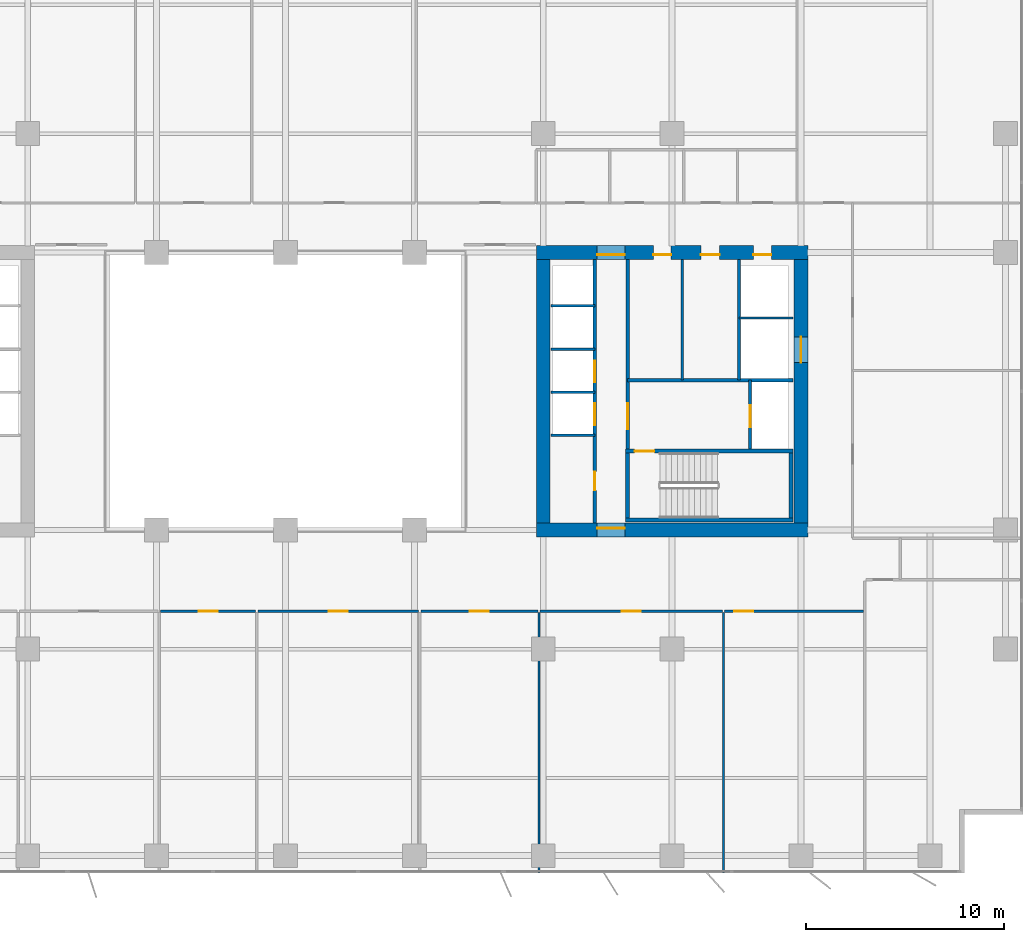
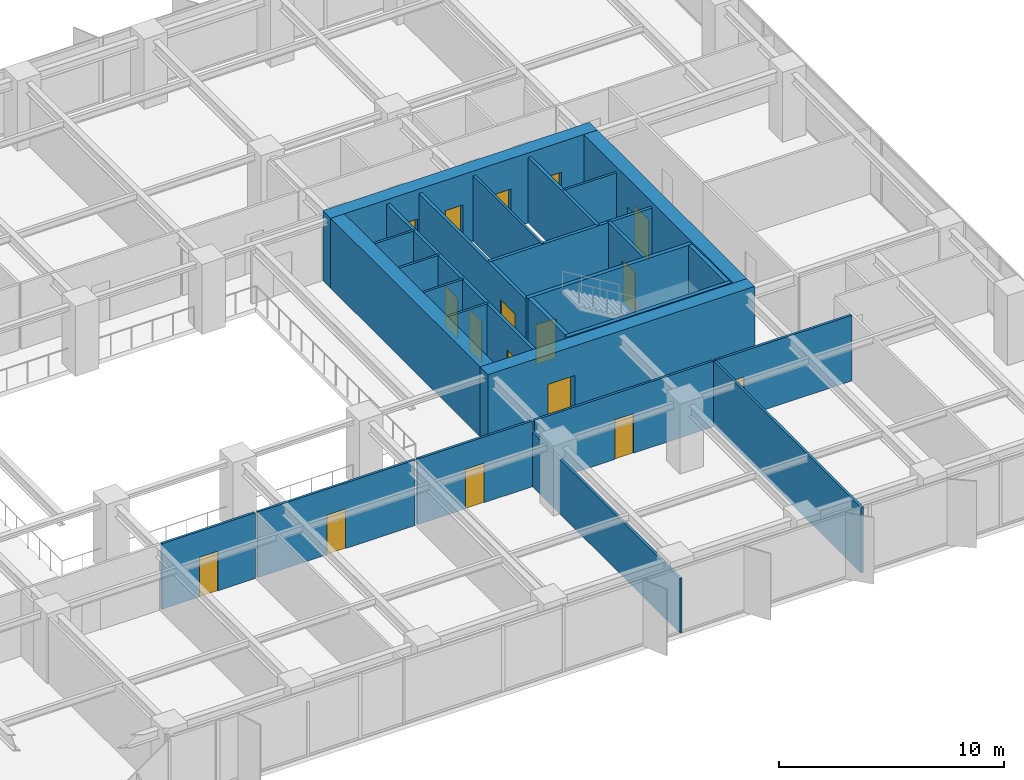
# One storey, part 14 of 20: 26 walls, 17 doors, 17 openings.
"""IFC4 building model written with IfcOpenShell, lengths in metres."""

from ifc_helpers import new_model, si_unit, direction, frame, frame_2d, origin, place, context, subcontext, project, spatial, rectangle, extrude, material, layer, layer_set, type_object, element, fill, save


model = new_model("IFC4")

# Units and contexts
model_context = context("Model", 3, precision=1e-05, world=origin(), true_north=direction((0.0, 1.0)))
body_context = subcontext(model_context, "Body", "Model", "MODEL_VIEW")
ifc_project = project(units=[si_unit("LENGTHUNIT", "METRE"), si_unit("AREAUNIT", "SQUARE_METRE"), si_unit("VOLUMEUNIT", "CUBIC_METRE"), si_unit("PLANEANGLEUNIT", "RADIAN"), si_unit("MASSUNIT", "GRAM", prefix="KILO")], contexts=[model_context])

# Site, building, storey
site_placement = place(None, origin())
site = spatial("IfcSite", under=ifc_project, at=site_placement, CompositionType="ELEMENT")
building_placement = place(site_placement, origin())
building = spatial("IfcBuilding", under=site, at=building_placement, Name="Putna Gate Headquarters", CompositionType="ELEMENT")
storey_placement = place(building_placement, frame((0.0, 0.0, 127.800048828125)))
storey = spatial("IfcBuildingStorey", under=building, at=storey_placement, Name="L31", CompositionType="ELEMENT", Elevation=127.800048828125)

# Wall, opening, door
ifc_material_1 = material(Name="Concrete C60/75", Category="concrete")
ifc_layer_1 = layer(ifc_material_1, 0.699951171875)
ifc_layer_set_1 = layer_set([ifc_layer_1], Name="Concrete C60/75")
wall_type_1 = type_object("IfcWallType", Name="WALL-CORE-700", PredefinedType="SHEAR", material=ifc_layer_set_1)
wall_1_placement = place(storey_placement, frame((51.64990234375, 19.0, 0.0), z_axis=(0.0, 0.0, 1.0), x_axis=(1.0, 0.0, 0.0)))
wall_1 = element("IfcWall", 1, at=wall_1_placement, inside=storey, type_object=wall_type_1, Name="L31 EC Split Core Shear Wall S", PredefinedType="SHEAR", context=body_context, shape_type="SweptSolid", body=[
    extrude(rectangle(XDim=13.7001953125, YDim=0.699951171875, at=frame_2d((6.85009765625, 0.0))), origin(), (0.0, 0.0, 1.0), 3.800048828125),
])
opening_1_placement = place(wall_1_placement, frame((3.070068359375, 0.0, 0.0)))
opening_1 = element("IfcOpeningElement", 2, at=opening_1_placement, cuts=wall_1, Name="Opening FDD-140", PredefinedType="OPENING", context=body_context, shape_type="SweptSolid", body=[
    extrude(rectangle(XDim=1.39990234375, YDim=2.199951171875, at=frame_2d((0.699951171875, 1.10009765625))), frame((0.0, 0.35986328125, 0.0), z_axis=(0.0, -1.0, 0.0), x_axis=(1.0, 0.0, 0.0)), (0.0, 0.0, 1.0), 0.719970703125),
])
ifc_material_2 = material(Name="Double steel fire door", Category="steel")
door_type_1 = type_object("IfcDoorType", Name="DOOR-FIRE-DBL-1400", OperationType="DOUBLE_DOOR_SINGLE_SWING", PredefinedType="DOOR", material=ifc_material_2)
door_1_placement = place(opening_1_placement, origin())
door_1 = element("IfcDoor", 3, at=door_1_placement, inside=storey, type_object=door_type_1, Name="L31 East Lift Lobby South Door", OperationType="DOUBLE_DOOR_SINGLE_SWING", OverallHeight=2.199951171875, OverallWidth=1.39990234375, PredefinedType="DOOR", context=body_context, shape_type="SweptSolid", body=[
    extrude(rectangle(XDim=1.39990234375, YDim=2.199951171875, at=frame_2d((0.699951171875, 1.10009765625))), frame((0.0, 0.125, 0.0), z_axis=(0.0, -1.0, 0.0), x_axis=(1.0, 0.0, 0.0)), (0.0, 0.0, 1.0), 0.050048828125),
])
fill(opening_1, door_1)

# Wall, openings, doors
wall_2_placement = place(storey_placement, frame((51.64990234375, 33.0, 0.0), z_axis=(0.0, 0.0, 1.0), x_axis=(1.0, 0.0, 0.0)))
wall_2 = element("IfcWall", 4, at=wall_2_placement, inside=storey, type_object=wall_type_1, Name="L31 EC Split Core Shear Wall N", PredefinedType="SHEAR", context=body_context, shape_type="SweptSolid", body=[
    extrude(rectangle(XDim=13.7001953125, YDim=0.699951171875, at=frame_2d((6.85009765625, 0.0))), origin(), (0.0, 0.0, 1.0), 3.800048828125),
])
opening_2_placement = place(wall_2_placement, frame((3.070068359375, 0.0, 0.0)))
opening_2 = element("IfcOpeningElement", 5, at=opening_2_placement, cuts=wall_2, Name="Opening FDD-140", PredefinedType="OPENING", context=body_context, shape_type="SweptSolid", body=[
    extrude(rectangle(XDim=1.39990234375, YDim=2.199951171875, at=frame_2d((0.699951171875, 1.10009765625))), frame((0.0, 0.35986328125, 0.0), z_axis=(0.0, -1.0, 0.0), x_axis=(1.0, 0.0, 0.0)), (0.0, 0.0, 1.0), 0.719970703125),
])
opening_3_placement = place(wall_2_placement, frame((10.949951171875, 0.0, 0.0)))
opening_3 = element("IfcOpeningElement", 6, at=opening_3_placement, cuts=wall_2, Name="Opening RD-90", PredefinedType="OPENING", context=body_context, shape_type="SweptSolid", body=[
    extrude(rectangle(XDim=0.89990234375, YDim=2.14990234375, at=frame_2d((0.449951171875, 1.074951171875))), frame((0.0, 0.35986328125, 0.0), z_axis=(0.0, -1.0, 0.0), x_axis=(1.0, 0.0, 0.0)), (0.0, 0.0, 1.0), 0.719970703125),
])
opening_4_placement = place(wall_2_placement, frame((5.89990234375, 0.0, 0.0)))
opening_4 = element("IfcOpeningElement", 7, at=opening_4_placement, cuts=wall_2, Name="Opening IDS-90", PredefinedType="OPENING", context=body_context, shape_type="SweptSolid", body=[
    extrude(rectangle(XDim=0.89990234375, YDim=2.14990234375, at=frame_2d((0.449951171875, 1.074951171875))), frame((0.0, 0.35986328125, 0.0), z_axis=(0.0, -1.0, 0.0), x_axis=(1.0, 0.0, 0.0)), (0.0, 0.0, 1.0), 0.719970703125),
])
opening_5_placement = place(wall_2_placement, frame((8.300048828125, 0.0, 0.0)))
opening_5 = element("IfcOpeningElement", 8, at=opening_5_placement, cuts=wall_2, Name="Opening IDS-95", PredefinedType="OPENING", context=body_context, shape_type="SweptSolid", body=[
    extrude(rectangle(XDim=0.949951171875, YDim=2.14990234375, at=frame_2d((0.47509765625, 1.074951171875))), frame((0.0, 0.35986328125, 0.0), z_axis=(0.0, -1.0, 0.0), x_axis=(1.0, 0.0, 0.0)), (0.0, 0.0, 1.0), 0.719970703125),
])
door_2_placement = place(opening_2_placement, origin())
door_2 = element("IfcDoor", 9, at=door_2_placement, inside=storey, type_object=door_type_1, Name="L31 East Lift Lobby North Door", OperationType="DOUBLE_DOOR_SINGLE_SWING", OverallHeight=2.199951171875, OverallWidth=1.39990234375, PredefinedType="DOOR", context=body_context, shape_type="SweptSolid", body=[
    extrude(rectangle(XDim=1.39990234375, YDim=2.199951171875, at=frame_2d((0.699951171875, 1.10009765625))), frame((0.0, -0.0751953125, 0.0), z_axis=(0.0, -1.0, 0.0), x_axis=(1.0, 0.0, 0.0)), (0.0, 0.0, 1.0), 0.050048828125),
])
fill(opening_2, door_2)
ifc_material_3 = material(Name="Fire-rated utility door")
door_type_2 = type_object("IfcDoorType", Name="DOOR-INT-900", OperationType="NOTDEFINED", PredefinedType="DOOR", material=ifc_material_3)
door_3_placement = place(opening_4_placement, origin())
door_3 = element("IfcDoor", 10, at=door_3_placement, inside=storey, type_object=door_type_2, Name="L31 Telecoms Plant Door", OperationType="SINGLE_SWING_LEFT", OverallHeight=2.14990234375, OverallWidth=0.89990234375, PredefinedType="DOOR", context=body_context, shape_type="SweptSolid", body=[
    extrude(rectangle(XDim=0.89990234375, YDim=2.14990234375, at=frame_2d((0.449951171875, 1.074951171875))), frame((0.0, -0.0751953125, 0.0), z_axis=(0.0, -1.0, 0.0), x_axis=(1.0, 0.0, 0.0)), (0.0, 0.0, 1.0), 0.050048828125),
])
fill(opening_4, door_3)
ifc_material_4 = material(Name="Fire-rated service timber door", Category="wood")
door_type_3 = type_object("IfcDoorType", Name="DOOR-INT-950", OperationType="NOTDEFINED", PredefinedType="DOOR", material=ifc_material_4)
door_4_placement = place(opening_5_placement, origin())
door_4 = element("IfcDoor", 11, at=door_4_placement, inside=storey, type_object=door_type_3, Name="L31 Supplies Store Door", OperationType="SINGLE_SWING_RIGHT", OverallHeight=2.14990234375, OverallWidth=0.949951171875, PredefinedType="DOOR", context=body_context, shape_type="SweptSolid", body=[
    extrude(rectangle(XDim=0.949951171875, YDim=2.14990234375, at=frame_2d((0.47509765625, 1.074951171875))), frame((0.0, -0.0751953125, 0.0), z_axis=(0.0, -1.0, 0.0), x_axis=(1.0, 0.0, 0.0)), (0.0, 0.0, 1.0), 0.050048828125),
])
fill(opening_5, door_4)
ifc_material_5 = material(Name="Steel riser access fire door", Category="steel")
door_type_4 = type_object("IfcDoorType", Name="DOOR-RISER-900", OperationType="NOTDEFINED", PredefinedType="DOOR", material=ifc_material_5)
door_5_placement = place(opening_3_placement, origin())
door_5 = element("IfcDoor", 12, at=door_5_placement, inside=storey, type_object=door_type_4, Name="L31 East Riser Access Door", OperationType="SINGLE_SWING_LEFT", OverallHeight=2.14990234375, OverallWidth=0.89990234375, PredefinedType="DOOR", context=body_context, shape_type="SweptSolid", body=[
    extrude(rectangle(XDim=0.89990234375, YDim=2.14990234375, at=frame_2d((0.449951171875, 1.074951171875))), frame((0.0, -0.0751953125, 0.0), z_axis=(0.0, -1.0, 0.0), x_axis=(1.0, 0.0, 0.0)), (0.0, 0.0, 1.0), 0.050048828125),
])
fill(opening_3, door_5)

# Wall
wall_3_placement = place(storey_placement, frame((52.0, 19.35009765625, 0.0), z_axis=(0.0, 0.0, 1.0), x_axis=(0.0, 1.0, 0.0)))
element("IfcWall", 13, at=wall_3_placement, inside=storey, type_object=wall_type_1, Name="L31 EC Split Core Shear Wall W", PredefinedType="SHEAR", context=body_context, shape_type="SweptSolid", body=[
    extrude(rectangle(XDim=13.2998046875, YDim=0.699951171875, at=frame_2d((6.64990234375, 0.0))), origin(), (0.0, 0.0, 1.0), 3.800048828125),
])

# Wall, opening, door
wall_4_placement = place(storey_placement, frame((65.0, 19.35009765625, 0.0), z_axis=(0.0, 0.0, 1.0), x_axis=(0.0, 1.0, 0.0)))
wall_4 = element("IfcWall", 14, at=wall_4_placement, inside=storey, type_object=wall_type_1, Name="L31 EC Split Core Shear Wall E", PredefinedType="SHEAR", context=body_context, shape_type="SweptSolid", body=[
    extrude(rectangle(XDim=13.2998046875, YDim=0.699951171875, at=frame_2d((6.64990234375, 0.0))), origin(), (0.0, 0.0, 1.0), 3.800048828125),
])
opening_6_placement = place(wall_4_placement, frame((8.10009765625, 0.0, 0.0)))
opening_6 = element("IfcOpeningElement", 15, at=opening_6_placement, cuts=wall_4, Name="Opening LD-2", PredefinedType="OPENING", context=body_context, shape_type="SweptSolid", body=[
    extrude(rectangle(XDim=1.300048828125, YDim=2.199951171875, at=frame_2d((0.64990234375, 1.10009765625))), frame((0.0, 0.35986328125, 0.0), z_axis=(0.0, -1.0, 0.0), x_axis=(1.0, 0.0, 0.0)), (0.0, 0.0, 1.0), 0.719970703125),
])
ifc_material_6 = material(Name="Heavy-duty goods lift sliding landing door")
door_type_5 = type_object("IfcDoorType", Name="DOOR-LIFT-1300", OperationType="DOUBLE_DOOR_SLIDING", PredefinedType="DOOR", material=ifc_material_6)
door_6_placement = place(opening_6_placement, origin())
door_6 = element("IfcDoor", 16, at=door_6_placement, inside=storey, type_object=door_type_5, Name="L31 Goods Lift Landing Door LD-15", OperationType="DOUBLE_DOOR_SLIDING", OverallHeight=2.199951171875, OverallWidth=1.300048828125, PredefinedType="DOOR", context=body_context, shape_type="SweptSolid", body=[
    extrude(rectangle(XDim=1.300048828125, YDim=2.199951171875, at=frame_2d((0.64990234375, 1.10009765625))), frame((0.0, 0.02490234375, 0.0), z_axis=(0.0, -1.0, 0.0), x_axis=(1.0, 0.0, 0.0)), (0.0, 0.0, 1.0), 0.050048828125),
])
fill(opening_6, door_6)

# Walls
ifc_material_7 = material(Name="Acoustic gypsum board on metal stud")
ifc_layer_2 = layer(ifc_material_7, 0.1201171875)
ifc_layer_set_2 = layer_set([ifc_layer_2], Name="Acoustic gypsum board on metal stud")
wall_type_2 = type_object("IfcWallType", Name="WALL-PART-120", PredefinedType="PARTITIONING", material=ifc_layer_set_2)
wall_5_placement = place(storey_placement, frame((51.78662109375, 1.719970703125, 0.0), z_axis=(0.0, 0.0, 1.0), x_axis=(0.0, 1.0, 0.0)))
element("IfcWall", 17, at=wall_5_placement, inside=storey, type_object=wall_type_2, Name="L31 Interior Wall PART-L31-SB-DIV-07", PredefinedType="PARTITIONING", context=body_context, shape_type="SweptSolid", body=[
    extrude(rectangle(XDim=13.1201171875, YDim=0.1201171875, at=frame_2d((6.56005859375, 0.0))), origin(), (0.0, 0.0, 1.0), 2.96484375),
])
wall_6_placement = place(storey_placement, frame((61.093505859375, 1.719970703125, 0.0), z_axis=(0.0, 0.0, 1.0), x_axis=(0.0, 1.0, 0.0)))
element("IfcWall", 18, at=wall_6_placement, inside=storey, type_object=wall_type_2, Name="L31 Interior Wall PART-L31-SB-DIV-08", PredefinedType="PARTITIONING", context=body_context, shape_type="SweptSolid", body=[
    extrude(rectangle(XDim=13.1201171875, YDim=0.1201171875, at=frame_2d((6.56005859375, 0.0))), origin(), (0.0, 0.0, 1.0), 3.56494140625),
])
ifc_material_8 = material(Name="Fire-rated shaftwall gypsum board on metal stud")
ifc_layer_3 = layer(ifc_material_8, 0.1201171875)
ifc_layer_set_3 = layer_set([ifc_layer_3], Name="Fire-rated shaftwall gypsum board on metal stud")
wall_type_3 = type_object("IfcWallType", Name="WALL-PART-120-EI120", PredefinedType="PARTITIONING", material=ifc_layer_set_3)
for number, where, z_axis, x_axis, name in (
    (19, (52.39990234375, 25.949951171875, 0.0), (0.0, 0.0, 1.0), (1.0, 0.0, 0.0), "L31 Interior Wall CWINT-L31-EC-LF07-DIV"),
    (20, (52.39990234375, 28.1201171875, 0.0), (0.0, 0.0, 1.0), (1.0, 0.0, 0.0), "L31 Interior Wall CWINT-L31-EC-LF08-DIV"),
    (21, (52.39990234375, 30.31005859375, 0.0), (0.0, 0.0, 1.0), (1.0, 0.0, 0.0), "L31 Interior Wall CWINT-L31-EC-LF11-DIV"),
):
    element("IfcWall", number, at=place(storey_placement, frame(where, z_axis=z_axis, x_axis=x_axis)), inside=storey, type_object=wall_type_3, Name=name, PredefinedType="PARTITIONING", context=body_context, shape_type="SweptSolid", body=[
        extrude(rectangle(XDim=2.2001953125, YDim=0.1201171875, at=frame_2d((1.10009765625, 0.0))), origin(), (0.0, 0.0, 1.0), 3.56494140625),
    ])
wall_7_placement = place(storey_placement, frame((61.8701171875, 29.699951171875, 0.0), z_axis=(0.0, 0.0, 1.0), x_axis=(1.0, 0.0, 0.0)))
element("IfcWall", 22, at=wall_7_placement, inside=storey, type_object=wall_type_3, Name="L31 Interior Wall CWINT-L31-EC-LF15-N", PredefinedType="PARTITIONING", context=body_context, shape_type="SweptSolid", body=[
    extrude(rectangle(XDim=2.72998046875, YDim=0.1201171875, at=frame_2d((1.364990234375, 0.0))), origin(), (0.0, 0.0, 1.0), 3.56494140625),
])
ifc_material_9 = material(Name="Fire-rated gypsum board on metal stud")
ifc_layer_4 = layer(ifc_material_9, 0.1201171875)
ifc_layer_set_4 = layer_set([ifc_layer_4], Name="Fire-rated gypsum board on metal stud")
wall_type_4 = type_object("IfcWallType", Name="WALL-PART-120-RATED", PredefinedType="PARTITIONING", material=ifc_layer_set_4)
wall_8_placement = place(storey_placement, frame((52.39990234375, 23.780029296875, 0.0), z_axis=(0.0, 0.0, 1.0), x_axis=(1.0, 0.0, 0.0)))
element("IfcWall", 23, at=wall_8_placement, inside=storey, type_object=wall_type_4, Name="L31 Interior Wall CWINT-L31-EC-LF04-DIV", PredefinedType="PARTITIONING", context=body_context, shape_type="SweptSolid", body=[
    extrude(rectangle(XDim=2.2001953125, YDim=0.1201171875, at=frame_2d((1.10009765625, 0.0))), origin(), (0.0, 0.0, 1.0), 3.56494140625),
])
wall_9_placement = place(storey_placement, frame((59.02001953125, 26.56005859375, 0.0), z_axis=(0.0, 0.0, 1.0), x_axis=(0.0, 1.0, 0.0)))
element("IfcWall", 24, at=wall_9_placement, inside=storey, type_object=wall_type_4, Name="L31 Interior Wall CWINT-L31-EC-K1-DIV", PredefinedType="PARTITIONING", context=body_context, shape_type="SweptSolid", body=[
    extrude(rectangle(XDim=6.08984375, YDim=0.1201171875, at=frame_2d((3.044921875, 0.0))), origin(), (0.0, 0.0, 1.0), 3.56494140625),
])

# Wall, opening, door
wall_10_placement = place(storey_placement, frame((32.699951171875, 14.89990234375, 0.0), z_axis=(0.0, 0.0, 1.0), x_axis=(1.0, 0.0, 0.0)))
wall_10 = element("IfcWall", 25, at=wall_10_placement, inside=storey, type_object=wall_type_4, Name="L31 Interior Wall PART-L31-SB-CW-05", PredefinedType="PARTITIONING", context=body_context, shape_type="SweptSolid", body=[
    extrude(rectangle(XDim=4.796142578125, YDim=0.1201171875, at=frame_2d((2.39794921875, 0.0))), origin(), (0.0, 0.0, 1.0), 3.56494140625),
])
opening_7_placement = place(wall_10_placement, frame((1.923095703125, 0.0, 0.0)))
opening_7 = element("IfcOpeningElement", 26, at=opening_7_placement, cuts=wall_10, Name="Opening FD-95", PredefinedType="OPENING", context=body_context, shape_type="SweptSolid", body=[
    extrude(rectangle(XDim=0.949951171875, YDim=2.14990234375, at=frame_2d((0.47509765625, 1.074951171875))), frame((0.0, 0.070068359375, 0.0), z_axis=(0.0, -1.0, 0.0), x_axis=(1.0, 0.0, 0.0)), (0.0, 0.0, 1.0), 0.14013671875),
])
ifc_material_10 = material(Name="Acoustic timber fire door", Category="wood")
door_type_6 = type_object("IfcDoorType", Name="DOOR-FIRE-950", OperationType="NOTDEFINED", PredefinedType="DOOR", material=ifc_material_10)
door_7_placement = place(opening_7_placement, origin())
door_7 = element("IfcDoor", 27, at=door_7_placement, inside=storey, type_object=door_type_6, Name="L31 Conference Meeting Room 2 Door", OperationType="SINGLE_SWING_LEFT", OverallHeight=2.14990234375, OverallWidth=0.949951171875, PredefinedType="DOOR", context=body_context, shape_type="SweptSolid", body=[
    extrude(rectangle(XDim=0.949951171875, YDim=2.14990234375, at=frame_2d((0.47509765625, 1.074951171875))), frame((0.0, 0.02490234375, 0.0), z_axis=(0.0, -1.0, 0.0), x_axis=(1.0, 0.0, 0.0)), (0.0, 0.0, 1.0), 0.050048828125),
])
fill(opening_7, door_7)

wall_11_placement = place(storey_placement, frame((37.6162109375, 14.89990234375, 0.0), z_axis=(0.0, 0.0, 1.0), x_axis=(1.0, 0.0, 0.0)))
wall_11 = element("IfcWall", 28, at=wall_11_placement, inside=storey, type_object=wall_type_4, Name="L31 Interior Wall PART-L31-SB-CW-06", PredefinedType="PARTITIONING", context=body_context, shape_type="SweptSolid", body=[
    extrude(rectangle(XDim=8.091064453125, YDim=0.1201171875, at=frame_2d((4.04541015625, 0.0))), origin(), (0.0, 0.0, 1.0), 3.56494140625),
])
opening_8_placement = place(wall_11_placement, frame((3.570556640625, 0.0, 0.0)))
opening_8 = element("IfcOpeningElement", 29, at=opening_8_placement, cuts=wall_11, Name="Opening FD-95", PredefinedType="OPENING", context=body_context, shape_type="SweptSolid", body=[
    extrude(rectangle(XDim=0.949951171875, YDim=2.14990234375, at=frame_2d((0.47509765625, 1.074951171875))), frame((0.0, 0.070068359375, 0.0), z_axis=(0.0, -1.0, 0.0), x_axis=(1.0, 0.0, 0.0)), (0.0, 0.0, 1.0), 0.14013671875),
])
door_8_placement = place(opening_8_placement, origin())
door_8 = element("IfcDoor", 30, at=door_8_placement, inside=storey, type_object=door_type_6, Name="L31 Conference Meeting Room 3 Door", OperationType="SINGLE_SWING_RIGHT", OverallHeight=2.14990234375, OverallWidth=0.949951171875, PredefinedType="DOOR", context=body_context, shape_type="SweptSolid", body=[
    extrude(rectangle(XDim=0.949951171875, YDim=2.14990234375, at=frame_2d((0.47509765625, 1.074951171875))), frame((0.0, 0.02490234375, 0.0), z_axis=(0.0, -1.0, 0.0), x_axis=(1.0, 0.0, 0.0)), (0.0, 0.0, 1.0), 0.050048828125),
])
fill(opening_8, door_8)

wall_12_placement = place(storey_placement, frame((45.827392578125, 14.89990234375, 0.0), z_axis=(0.0, 0.0, 1.0), x_axis=(1.0, 0.0, 0.0)))
wall_12 = element("IfcWall", 31, at=wall_12_placement, inside=storey, type_object=wall_type_4, Name="L31 Interior Wall PART-L31-SB-CW-07", PredefinedType="PARTITIONING", context=body_context, shape_type="SweptSolid", body=[
    extrude(rectangle(XDim=5.8994140625, YDim=0.1201171875, at=frame_2d((2.94970703125, 0.0))), origin(), (0.0, 0.0, 1.0), 3.56494140625),
])
opening_9_placement = place(wall_12_placement, frame((2.474609375, 0.0, 0.0)))
opening_9 = element("IfcOpeningElement", 32, at=opening_9_placement, cuts=wall_12, Name="Opening FD-95", PredefinedType="OPENING", context=body_context, shape_type="SweptSolid", body=[
    extrude(rectangle(XDim=0.949951171875, YDim=2.14990234375, at=frame_2d((0.47509765625, 1.074951171875))), frame((0.0, 0.070068359375, 0.0), z_axis=(0.0, -1.0, 0.0), x_axis=(1.0, 0.0, 0.0)), (0.0, 0.0, 1.0), 0.14013671875),
])
door_9_placement = place(opening_9_placement, origin())
door_9 = element("IfcDoor", 33, at=door_9_placement, inside=storey, type_object=door_type_6, Name="L31 Conference Meeting Room 4 Door", OperationType="SINGLE_SWING_LEFT", OverallHeight=2.14990234375, OverallWidth=0.949951171875, PredefinedType="DOOR", context=body_context, shape_type="SweptSolid", body=[
    extrude(rectangle(XDim=0.949951171875, YDim=2.14990234375, at=frame_2d((0.47509765625, 1.074951171875))), frame((0.0, 0.02490234375, 0.0), z_axis=(0.0, -1.0, 0.0), x_axis=(1.0, 0.0, 0.0)), (0.0, 0.0, 1.0), 0.050048828125),
])
fill(opening_9, door_9)

wall_13_placement = place(storey_placement, frame((51.8466796875, 14.89990234375, 0.0), z_axis=(0.0, 0.0, 1.0), x_axis=(1.0, 0.0, 0.0)))
wall_13 = element("IfcWall", 34, at=wall_13_placement, inside=storey, type_object=wall_type_4, Name="L31 Interior Wall PART-L31-SB-CW-08", PredefinedType="PARTITIONING", context=body_context, shape_type="SweptSolid", body=[
    extrude(rectangle(XDim=9.186767578125, YDim=0.1201171875, at=frame_2d((4.59326171875, 0.0))), origin(), (0.0, 0.0, 1.0), 3.56494140625),
])
opening_10_placement = place(wall_13_placement, frame((4.118408203125, 0.0, 0.0)))
opening_10 = element("IfcOpeningElement", 35, at=opening_10_placement, cuts=wall_13, Name="Opening FD-95", PredefinedType="OPENING", context=body_context, shape_type="SweptSolid", body=[
    extrude(rectangle(XDim=0.949951171875, YDim=2.14990234375, at=frame_2d((0.47509765625, 1.074951171875))), frame((0.0, 0.070068359375, 0.0), z_axis=(0.0, -1.0, 0.0), x_axis=(1.0, 0.0, 0.0)), (0.0, 0.0, 1.0), 0.14013671875),
])
door_10_placement = place(opening_10_placement, origin())
door_10 = element("IfcDoor", 36, at=door_10_placement, inside=storey, type_object=door_type_6, Name="L31 Conference Meeting Room 5 Door", OperationType="SINGLE_SWING_RIGHT", OverallHeight=2.14990234375, OverallWidth=0.949951171875, PredefinedType="DOOR", context=body_context, shape_type="SweptSolid", body=[
    extrude(rectangle(XDim=0.949951171875, YDim=2.14990234375, at=frame_2d((0.47509765625, 1.074951171875))), frame((0.0, 0.02490234375, 0.0), z_axis=(0.0, -1.0, 0.0), x_axis=(1.0, 0.0, 0.0)), (0.0, 0.0, 1.0), 0.050048828125),
])
fill(opening_10, door_10)

wall_14_placement = place(storey_placement, frame((61.153564453125, 14.89990234375, 0.0), z_axis=(0.0, 0.0, 1.0), x_axis=(1.0, 0.0, 0.0)))
wall_14 = element("IfcWall", 37, at=wall_14_placement, inside=storey, type_object=wall_type_4, Name="L31 Interior Wall PART-L31-SB-CW-09", PredefinedType="PARTITIONING", context=body_context, shape_type="SweptSolid", body=[
    extrude(rectangle(XDim=6.9951171875, YDim=0.1201171875, at=frame_2d((3.49755859375, 0.0))), origin(), (0.0, 0.0, 1.0), 3.56494140625),
])
opening_11_placement = place(wall_14_placement, frame((0.47998046875, 0.0, 0.0)))
opening_11 = element("IfcOpeningElement", 38, at=opening_11_placement, cuts=wall_14, Name="Opening FD-95", PredefinedType="OPENING", context=body_context, shape_type="SweptSolid", body=[
    extrude(rectangle(XDim=0.949951171875, YDim=2.14990234375, at=frame_2d((0.47509765625, 1.074951171875))), frame((0.0, 0.070068359375, 0.0), z_axis=(0.0, -1.0, 0.0), x_axis=(1.0, 0.0, 0.0)), (0.0, 0.0, 1.0), 0.14013671875),
])
door_11_placement = place(opening_11_placement, origin())
door_11 = element("IfcDoor", 39, at=door_11_placement, inside=storey, type_object=door_type_6, Name="L31 Conference Meeting Room 6 Door", OperationType="SINGLE_SWING_LEFT", OverallHeight=2.14990234375, OverallWidth=0.949951171875, PredefinedType="DOOR", context=body_context, shape_type="SweptSolid", body=[
    extrude(rectangle(XDim=0.949951171875, YDim=2.14990234375, at=frame_2d((0.47509765625, 1.074951171875))), frame((0.0, 0.02490234375, 0.0), z_axis=(0.0, -1.0, 0.0), x_axis=(1.0, 0.0, 0.0)), (0.0, 0.0, 1.0), 0.050048828125),
])
fill(opening_11, door_11)

# Wall, openings, doors
ifc_material_11 = material(Name="Concrete C40/50", Category="concrete")
ifc_layer_5 = layer(ifc_material_11, 0.159912109375)
ifc_layer_set_5 = layer_set([ifc_layer_5], Name="Concrete C40/50")
wall_type_5 = type_object("IfcWallType", Name="WALL-SHAFT-160", PredefinedType="STANDARD", material=ifc_layer_set_5)
wall_15_placement = place(storey_placement, frame((54.60009765625, 19.35009765625, 0.0), z_axis=(0.0, 0.0, 1.0), x_axis=(0.0, 1.0, 0.0)))
wall_15 = element("IfcWall", 40, at=wall_15_placement, inside=storey, type_object=wall_type_5, Name="L31 Interior Wall CWINT-L31-EC-PL-WALL", PredefinedType="STANDARD", context=body_context, shape_type="SweptSolid", body=[
    extrude(rectangle(XDim=13.2998046875, YDim=0.159912109375, at=frame_2d((6.64990234375, 0.0))), origin(), (0.0, 0.0, 1.0), 3.56494140625),
])
opening_12_placement = place(wall_15_placement, frame((1.64990234375, 0.0, 0.0)))
opening_12 = element("IfcOpeningElement", 41, at=opening_12_placement, cuts=wall_15, Name="Opening IDS-95", PredefinedType="OPENING", context=body_context, shape_type="SweptSolid", body=[
    extrude(rectangle(XDim=0.949951171875, YDim=2.14990234375, at=frame_2d((0.47509765625, 1.074951171875))), frame((0.0, 0.08984375, 0.0), z_axis=(0.0, -1.0, 0.0), x_axis=(1.0, 0.0, 0.0)), (0.0, 0.0, 1.0), 0.179931640625),
])
opening_13_placement = place(wall_15_placement, frame((4.949951171875, 0.0, 0.0)))
opening_13 = element("IfcOpeningElement", 42, at=opening_13_placement, cuts=wall_15, Name="Opening LD-1", PredefinedType="OPENING", context=body_context, shape_type="SweptSolid", body=[
    extrude(rectangle(XDim=1.10009765625, YDim=2.199951171875, at=frame_2d((0.550048828125, 1.10009765625))), frame((0.0, 0.08984375, 0.0), z_axis=(0.0, -1.0, 0.0), x_axis=(1.0, 0.0, 0.0)), (0.0, 0.0, 1.0), 0.179931640625),
])
opening_14_placement = place(wall_15_placement, frame((7.10009765625, 0.0, 0.0)))
opening_14 = element("IfcOpeningElement", 43, at=opening_14_placement, cuts=wall_15, Name="Opening LD-1", PredefinedType="OPENING", context=body_context, shape_type="SweptSolid", body=[
    extrude(rectangle(XDim=1.10009765625, YDim=2.199951171875, at=frame_2d((0.550048828125, 1.10009765625))), frame((0.0, 0.08984375, 0.0), z_axis=(0.0, -1.0, 0.0), x_axis=(1.0, 0.0, 0.0)), (0.0, 0.0, 1.0), 0.179931640625),
])
door_12_placement = place(opening_12_placement, origin())
door_12 = element("IfcDoor", 44, at=door_12_placement, inside=storey, type_object=door_type_3, Name="L31 Stationery Store Door", OperationType="SINGLE_SWING_RIGHT", OverallHeight=2.14990234375, OverallWidth=0.949951171875, PredefinedType="DOOR", context=body_context, shape_type="SweptSolid", body=[
    extrude(rectangle(XDim=0.949951171875, YDim=2.14990234375, at=frame_2d((0.47509765625, 1.074951171875))), frame((0.0, 0.02490234375, 0.0), z_axis=(0.0, -1.0, 0.0), x_axis=(1.0, 0.0, 0.0)), (0.0, 0.0, 1.0), 0.050048828125),
])
fill(opening_12, door_12)
ifc_material_12 = material(Name="Brushed bronze stainless lift landing door")
door_type_7 = type_object("IfcDoorType", Name="DOOR-LIFT-1100", OperationType="DOUBLE_DOOR_SLIDING", PredefinedType="DOOR", material=ifc_material_12)
door_13_placement = place(opening_13_placement, origin())
door_13 = element("IfcDoor", 45, at=door_13_placement, inside=storey, type_object=door_type_7, Name="L31 Lift Landing Door LD-07", OperationType="DOUBLE_DOOR_SLIDING", OverallHeight=2.199951171875, OverallWidth=1.10009765625, PredefinedType="DOOR", context=body_context, shape_type="SweptSolid", body=[
    extrude(rectangle(XDim=1.10009765625, YDim=2.199951171875, at=frame_2d((0.550048828125, 1.10009765625))), frame((0.0, 0.02490234375, 0.0), z_axis=(0.0, -1.0, 0.0), x_axis=(1.0, 0.0, 0.0)), (0.0, 0.0, 1.0), 0.050048828125),
])
fill(opening_13, door_13)
door_14_placement = place(opening_14_placement, origin())
door_14 = element("IfcDoor", 46, at=door_14_placement, inside=storey, type_object=door_type_7, Name="L31 Lift Landing Door LD-08", OperationType="DOUBLE_DOOR_SLIDING", OverallHeight=2.199951171875, OverallWidth=1.10009765625, PredefinedType="DOOR", context=body_context, shape_type="SweptSolid", body=[
    extrude(rectangle(XDim=1.10009765625, YDim=2.199951171875, at=frame_2d((0.550048828125, 1.10009765625))), frame((0.0, 0.02490234375, 0.0), z_axis=(0.0, -1.0, 0.0), x_axis=(1.0, 0.0, 0.0)), (0.0, 0.0, 1.0), 0.050048828125),
])
fill(opening_14, door_14)

# Wall, opening, door
wall_16_placement = place(storey_placement, frame((56.260009765625, 23.090087890625, 0.0), z_axis=(0.0, 0.0, 1.0), x_axis=(0.0, 1.0, 0.0)))
wall_16 = element("IfcWall", 47, at=wall_16_placement, inside=storey, type_object=wall_type_5, Name="L31 Interior Wall CWINT-L31-EC-LOB-E", PredefinedType="STANDARD", context=body_context, shape_type="SweptSolid", body=[
    extrude(rectangle(XDim=9.559814453125, YDim=0.159912109375, at=frame_2d((4.77978515625, 0.0))), origin(), (0.0, 0.0, 1.0), 3.56494140625),
])
opening_15_placement = place(wall_16_placement, frame((1.010009765625, 0.0, 0.0)))
opening_15 = element("IfcOpeningElement", 48, at=opening_15_placement, cuts=wall_16, Name="Opening FDD-130", PredefinedType="OPENING", context=body_context, shape_type="SweptSolid", body=[
    extrude(rectangle(XDim=1.300048828125, YDim=2.199951171875, at=frame_2d((0.64990234375, 1.10009765625))), frame((0.0, 0.08984375, 0.0), z_axis=(0.0, -1.0, 0.0), x_axis=(1.0, 0.0, 0.0)), (0.0, 0.0, 1.0), 0.179931640625),
])
ifc_material_13 = material(Name="Double steel lobby fire door", Category="steel")
door_type_8 = type_object("IfcDoorType", Name="DOOR-FIRE-DBL-1300", OperationType="DOUBLE_DOOR_SINGLE_SWING", PredefinedType="DOOR", material=ifc_material_13)
door_15_placement = place(opening_15_placement, origin())
door_15 = element("IfcDoor", 49, at=door_15_placement, inside=storey, type_object=door_type_8, Name="L31 East Firefighting Lobby Door", OperationType="DOUBLE_DOOR_SINGLE_SWING", OverallHeight=2.199951171875, OverallWidth=1.300048828125, PredefinedType="DOOR", context=body_context, shape_type="SweptSolid", body=[
    extrude(rectangle(XDim=1.300048828125, YDim=2.199951171875, at=frame_2d((0.64990234375, 1.10009765625))), frame((0.0, 0.02490234375, 0.0), z_axis=(0.0, -1.0, 0.0), x_axis=(1.0, 0.0, 0.0)), (0.0, 0.0, 1.0), 0.050048828125),
])
fill(opening_15, door_15)

wall_17_placement = place(storey_placement, frame((62.429931640625, 23.090087890625, 0.0), z_axis=(0.0, 0.0, 1.0), x_axis=(0.0, 1.0, 0.0)))
wall_17 = element("IfcWall", 50, at=wall_17_placement, inside=storey, type_object=wall_type_5, Name="L31 Interior Wall CWINT-L31-EC-LF14-W", PredefinedType="STANDARD", context=body_context, shape_type="SweptSolid", body=[
    extrude(rectangle(XDim=3.469970703125, YDim=0.159912109375, at=frame_2d((1.73486328125, 0.0))), origin(), (0.0, 0.0, 1.0), 3.56494140625),
])
opening_16_placement = place(wall_17_placement, frame((1.10009765625, 0.0, 0.0)))
opening_16 = element("IfcOpeningElement", 51, at=opening_16_placement, cuts=wall_17, Name="Opening LD-1", PredefinedType="OPENING", context=body_context, shape_type="SweptSolid", body=[
    extrude(rectangle(XDim=1.10009765625, YDim=2.199951171875, at=frame_2d((0.550048828125, 1.10009765625))), frame((0.0, 0.08984375, 0.0), z_axis=(0.0, -1.0, 0.0), x_axis=(1.0, 0.0, 0.0)), (0.0, 0.0, 1.0), 0.179931640625),
])
door_16_placement = place(opening_16_placement, origin())
door_16 = element("IfcDoor", 52, at=door_16_placement, inside=storey, type_object=door_type_7, Name="L31 Lift Landing Door LD-14", OperationType="DOUBLE_DOOR_SLIDING", OverallHeight=2.199951171875, OverallWidth=1.10009765625, PredefinedType="DOOR", context=body_context, shape_type="SweptSolid", body=[
    extrude(rectangle(XDim=1.10009765625, YDim=2.199951171875, at=frame_2d((0.550048828125, 1.10009765625))), frame((0.0, 0.02490234375, 0.0), z_axis=(0.0, -1.0, 0.0), x_axis=(1.0, 0.0, 0.0)), (0.0, 0.0, 1.0), 0.050048828125),
])
fill(opening_16, door_16)

# Walls
wall_18_placement = place(storey_placement, frame((56.260009765625, 26.56005859375, 0.0), z_axis=(0.0, 0.0, 1.0), x_axis=(1.0, 0.0, 0.0)))
element("IfcWall", 53, at=wall_18_placement, inside=storey, type_object=wall_type_5, Name="L31 Interior Wall CWINT-L31-EC-FFL-N", PredefinedType="STANDARD", context=body_context, shape_type="SweptSolid", body=[
    extrude(rectangle(XDim=8.340087890625, YDim=0.159912109375, at=frame_2d((4.169921875, 0.0))), origin(), (0.0, 0.0, 1.0), 3.56494140625),
])
wall_19_placement = place(storey_placement, frame((61.8701171875, 26.56005859375, 0.0), z_axis=(0.0, 0.0, 1.0), x_axis=(0.0, 1.0, 0.0)))
element("IfcWall", 54, at=wall_19_placement, inside=storey, type_object=wall_type_5, Name="L31 Interior Wall CWINT-L31-EC-LF15-W", PredefinedType="STANDARD", context=body_context, shape_type="SweptSolid", body=[
    extrude(rectangle(XDim=6.08984375, YDim=0.159912109375, at=frame_2d((3.044921875, 0.0))), origin(), (0.0, 0.0, 1.0), 3.56494140625),
])
ifc_layer_6 = layer(ifc_material_11, 0.199951171875)
ifc_layer_set_6 = layer_set([ifc_layer_6], Name="Concrete C40/50")
wall_type_6 = type_object("IfcWallType", Name="WALL-SHAFT-RC200", PredefinedType="SHEAR", material=ifc_layer_set_6)
wall_20_placement = place(storey_placement, frame((56.159912109375, 19.510009765625, 0.0), z_axis=(0.0, 0.0, 1.0), x_axis=(1.0, 0.0, 0.0)))
element("IfcWall", 55, at=wall_20_placement, inside=storey, type_object=wall_type_6, Name="L31 Stair ST2 Structural Shaft Wall S", PredefinedType="SHEAR", context=body_context, shape_type="SweptSolid", body=[
    extrude(rectangle(XDim=8.43017578125, YDim=0.199951171875, at=frame_2d((4.215087890625, 0.0))), origin(), (0.0, 0.0, 1.0), 3.800048828125),
])

# Wall, opening, door
wall_21_placement = place(storey_placement, frame((56.159912109375, 22.989990234375, 0.0), z_axis=(0.0, 0.0, 1.0), x_axis=(1.0, 0.0, 0.0)))
wall_21 = element("IfcWall", 56, at=wall_21_placement, inside=storey, type_object=wall_type_6, Name="L31 Stair ST2 Structural Shaft Wall N", PredefinedType="SHEAR", context=body_context, shape_type="SweptSolid", body=[
    extrude(rectangle(XDim=8.43017578125, YDim=0.199951171875, at=frame_2d((4.215087890625, 0.0))), origin(), (0.0, 0.0, 1.0), 3.800048828125),
])
opening_17_placement = place(wall_21_placement, frame((0.449951171875, 0.0, 0.0)))
opening_17 = element("IfcOpeningElement", 57, at=opening_17_placement, cuts=wall_21, Name="Opening FD-100", PredefinedType="OPENING", context=body_context, shape_type="SweptSolid", body=[
    extrude(rectangle(XDim=1.0, YDim=2.14990234375, at=frame_2d((0.5, 1.074951171875))), frame((0.0, 0.10986328125, 0.0), z_axis=(0.0, -1.0, 0.0), x_axis=(1.0, 0.0, 0.0)), (0.0, 0.0, 1.0), 0.219970703125),
])
ifc_material_14 = material(Name="Powder-coated steel fire door", Category="steel")
door_type_9 = type_object("IfcDoorType", Name="DOOR-FIRE-1000", OperationType="NOTDEFINED", PredefinedType="DOOR", material=ifc_material_14)
door_17_placement = place(opening_17_placement, origin())
door_17 = element("IfcDoor", 58, at=door_17_placement, inside=storey, type_object=door_type_9, Name="L31 Stair ST2 Fire Door", OperationType="SINGLE_SWING_RIGHT", OverallHeight=2.14990234375, OverallWidth=1.0, PredefinedType="DOOR", context=body_context, shape_type="SweptSolid", body=[
    extrude(rectangle(XDim=1.0, YDim=2.14990234375, at=frame_2d((0.5, 1.074951171875))), frame((0.0, 0.02490234375, 0.0), z_axis=(0.0, -1.0, 0.0), x_axis=(1.0, 0.0, 0.0)), (0.0, 0.0, 1.0), 0.050048828125),
])
fill(opening_17, door_17)

# Walls
for number, where, z_axis, x_axis, name in (
    (59, (56.260009765625, 19.610107421875, 0.0), (0.0, 0.0, 1.0), (0.0, 1.0, 0.0), "L31 Stair ST2 Structural Shaft Wall W"),
    (60, (64.489990234375, 19.610107421875, 0.0), (0.0, 0.0, 1.0), (0.0, 1.0, 0.0), "L31 Stair ST2 Structural Shaft Wall E"),
):
    element("IfcWall", number, at=place(storey_placement, frame(where, z_axis=z_axis, x_axis=x_axis)), inside=storey, type_object=wall_type_6, Name=name, PredefinedType="SHEAR", context=body_context, shape_type="SweptSolid", body=[
        extrude(rectangle(XDim=3.27978515625, YDim=0.199951171875, at=frame_2d((1.639892578125, 0.0))), origin(), (0.0, 0.0, 1.0), 3.800048828125),
    ])

save(model, "model.ifc")
